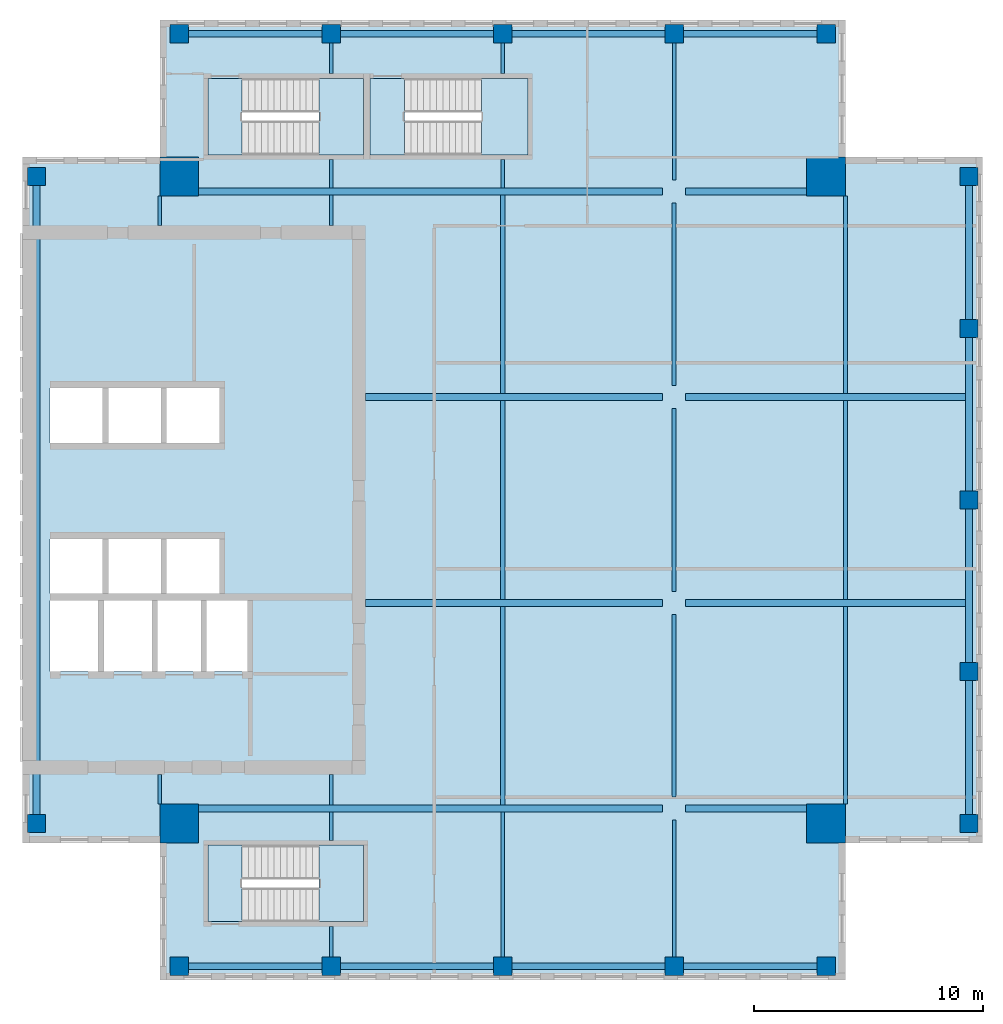
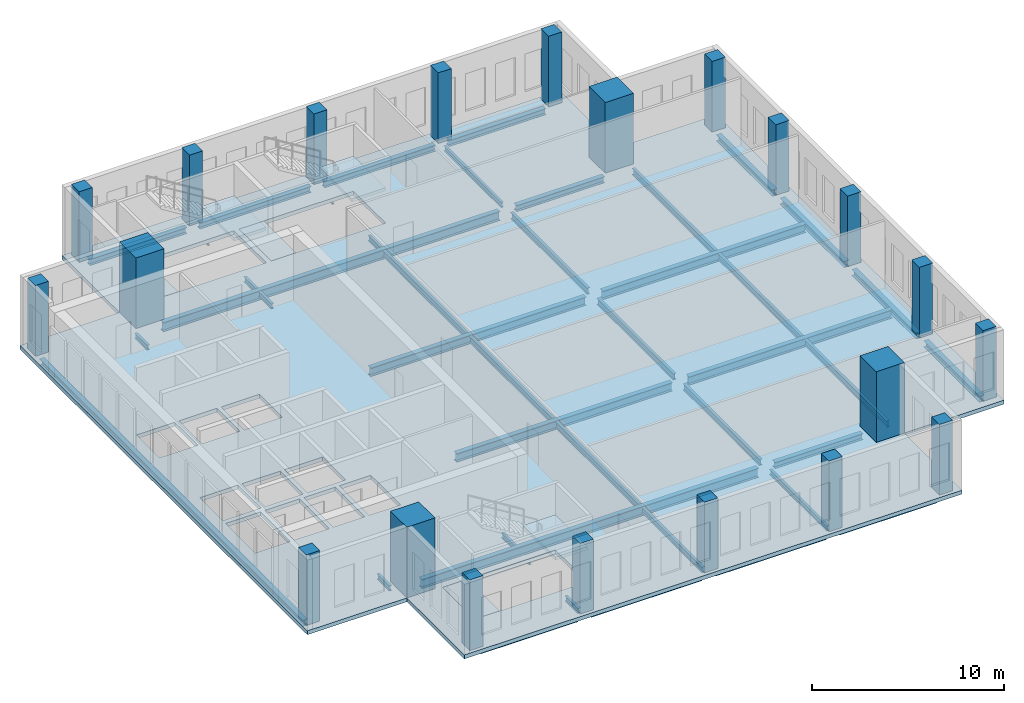
# One storey, part 1 of 6: 43 beams, 21 columns, 7 slabs, 3 elements without a shape of their own.
"""IFC4 building model written with IfcOpenShell, lengths in metres."""

import ifcopenshell
import ifcopenshell.guid

model = None  # the IFC model being written
_history = None  # IfcOwnerHistory: only IFC2X3 demands one
_inside = {}  # id of a spatial element -> (the spatial element, [elements in it])
_under = {}  # id of a project, library or spatial element -> (it, [spatial elements below it])
_declared = {}  # id of a project -> (the project, [libraries it declares])
_typed = {}  # id of a type object -> (the type object, [elements of that type])
_made_of = {}  # id of a material, layer set ... -> (it, [elements and type objects made of it])


def new_model(schema):
    """Start an empty IFC model of exactly this schema.

    Asked for "IFC4X3", IfcOpenShell would pick the latest addendum, in which some entities
    have other attributes; the version numbers below select the first issue.
    IFC2X3 requires an IfcOwnerHistory on every rooted entity: one is made here for all.
    """
    global model, _history
    if schema == "IFC4X3":
        model = ifcopenshell.file(schema_version=(4, 3, 0, 0))
    else:
        model = ifcopenshell.file(schema=schema)
    _inside.clear()
    _under.clear()
    _declared.clear()
    _typed.clear()
    _made_of.clear()
    _history = None
    if model.schema == "IFC2X3":
        org = make("IfcOrganization", Name="unknown")
        user = make(
            "IfcPersonAndOrganization",
            ThePerson=make("IfcPerson", FamilyName="unknown"),
            TheOrganization=org,
        )
        app = make(
            "IfcApplication",
            ApplicationDeveloper=org,
            Version="unknown",
            ApplicationFullName="unknown",
            ApplicationIdentifier="unknown",
        )
        _history = make(
            "IfcOwnerHistory",
            OwningUser=user,
            OwningApplication=app,
            ChangeAction="ADDED",
            CreationDate=0,
        )
    return model


def make(cls, **values):
    """One entity of the class cls with the attributes given. An attribute that is None is left unset."""
    return model.create_entity(
        cls, **{name: value for name, value in values.items() if value is not None}
    )


def rooted(cls, **values):
    """An entity with a GlobalId (a new one), such as an element, a storey or a relation."""
    return make(cls, GlobalId=ifcopenshell.guid.new(), OwnerHistory=_history, **values)


def si_unit(unit_type, name, prefix=None):
    """IfcSIUnit, for example si_unit("LENGTHUNIT", "METRE", prefix="MILLI")."""
    return make("IfcSIUnit", UnitType=unit_type, Prefix=prefix, Name=name)


def assignment(units):
    """IfcUnitAssignment: the units of a project."""
    return None if units is None else make("IfcUnitAssignment", Units=units)


def point(xyz):
    """IfcCartesianPoint."""
    return None if xyz is None else make("IfcCartesianPoint", Coordinates=xyz)


def direction(xyz):
    """IfcDirection."""
    return None if xyz is None else make("IfcDirection", DirectionRatios=xyz)


def frame(location, z_axis=None, x_axis=None):
    """IfcAxis2Placement3D, a coordinate frame: its origin and axes. An axis left out is left unset."""
    return make(
        "IfcAxis2Placement3D",
        Location=point(location),
        Axis=direction(z_axis),
        RefDirection=direction(x_axis),
    )


def frame_2d(location, x_axis=None):
    """IfcAxis2Placement2D, a coordinate frame in the plane: its origin and x axis."""
    return make(
        "IfcAxis2Placement2D", Location=point(location), RefDirection=direction(x_axis)
    )


def origin():
    """The frame at (0, 0, 0) with its axes left unset."""
    return frame((0.0, 0.0, 0.0))


def origin_2d():
    """The frame at (0, 0) in the plane with its x axis left unset."""
    return frame_2d((0.0, 0.0))


def place(relative_to, where):
    """IfcLocalPlacement: puts the frame where relative to a parent placement (None: the world)."""
    return make(
        "IfcLocalPlacement", PlacementRelTo=relative_to, RelativePlacement=where
    )


def context(
    kind, dimensions, precision=None, world=None, true_north=None, identifier=None
):
    """IfcGeometricRepresentationContext, for example the 3D "Model" context."""
    return make(
        "IfcGeometricRepresentationContext",
        ContextIdentifier=identifier,
        ContextType=kind,
        CoordinateSpaceDimension=dimensions,
        Precision=precision,
        WorldCoordinateSystem=world,
        TrueNorth=true_north,
    )


def subcontext(parent, identifier, kind, view, scale=None):
    """IfcGeometricRepresentationSubContext, for example "Body" below "Model"."""
    return make(
        "IfcGeometricRepresentationSubContext",
        ContextIdentifier=identifier,
        ContextType=kind,
        ParentContext=parent,
        TargetScale=scale,
        TargetView=view,
    )


def project(units=None, contexts=None):
    """IfcProject with its units and contexts."""
    return rooted(
        "IfcProject",
        Name="project",
        RepresentationContexts=contexts,
        UnitsInContext=assignment(units),
    )


def spatial(cls, under=None, at=None, **own):
    """A site, building, storey or space (cls), placed at a placement, below another one or the project."""
    s = rooted(cls, ObjectPlacement=at, **own)
    if under is not None:
        _under.setdefault(under.id(), (under, []))[1].append(s)
    return s


def polyline(points):
    """IfcPolyline through the points."""
    return make("IfcPolyline", Points=[point(p) for p in points])


def profile(cls, at=None, kind="AREA", **sizes):
    """A parametric profile (cls). Its sizes go by their IFC names, for example OverallWidth=200.0."""
    return make(cls, ProfileType=kind, Position=at, **sizes)


def rectangle(**sizes):
    """IfcRectangleProfileDef."""
    return profile("IfcRectangleProfileDef", **sizes)


def i_section(**sizes):
    """IfcIShapeProfileDef."""
    return profile("IfcIShapeProfileDef", **sizes)


def outline(outer, holes=None, kind="AREA"):
    """IfcArbitraryClosedProfileDef: a profile drawn as a closed curve; with holes, ...WithVoids."""
    if holes is None:
        return make("IfcArbitraryClosedProfileDef", ProfileType=kind, OuterCurve=outer)
    return make(
        "IfcArbitraryProfileDefWithVoids",
        ProfileType=kind,
        OuterCurve=outer,
        InnerCurves=holes,
    )


def extrude(swept, where, along, depth):
    """IfcExtrudedAreaSolid: the profile swept, set in the frame where, extruded along a direction by depth."""
    return make(
        "IfcExtrudedAreaSolid",
        SweptArea=swept,
        Position=where,
        ExtrudedDirection=direction(along),
        Depth=depth,
    )


def shape(context_of_items, identifier, shape_type, items):
    """IfcShapeRepresentation: the items that make up one representation, for example the "Body"."""
    return make(
        "IfcShapeRepresentation",
        ContextOfItems=context_of_items,
        RepresentationIdentifier=identifier,
        RepresentationType=shape_type,
        Items=items,
    )


def source(mapping_origin, context_of_items, identifier, shape_type, items):
    """IfcRepresentationMap: a shape defined once, which mapped items show again and again."""
    return make(
        "IfcRepresentationMap",
        MappingOrigin=mapping_origin,
        MappedRepresentation=shape(context_of_items, identifier, shape_type, items),
    )


def transform(
    local_origin,
    x_axis=None,
    y_axis=None,
    z_axis=None,
    scale=None,
    scale2=None,
    scale3=None,
    uniform=True,
):
    """IfcCartesianTransformationOperator3D, or its non-uniform kind. x_axis, y_axis, z_axis: its Axis1, 2, 3."""
    if uniform:
        return make(
            "IfcCartesianTransformationOperator3D",
            Axis1=direction(x_axis),
            Axis2=direction(y_axis),
            LocalOrigin=point(local_origin),
            Scale=scale,
            Axis3=direction(z_axis),
        )
    return make(
        "IfcCartesianTransformationOperator3DnonUniform",
        Axis1=direction(x_axis),
        Axis2=direction(y_axis),
        LocalOrigin=point(local_origin),
        Scale=scale,
        Axis3=direction(z_axis),
        Scale2=scale2,
        Scale3=scale3,
    )


def mapped(mapping_source, mapping_target):
    """IfcMappedItem: shows the shape of a source again, moved by a transform."""
    return make(
        "IfcMappedItem", MappingSource=mapping_source, MappingTarget=mapping_target
    )


def material(Name=None, Category=None):
    """IfcMaterial."""
    return make("IfcMaterial", Name=Name, Category=Category)


def layer(
    of_material, thickness, ventilated=None, Name=None, Category=None, Priority=None
):
    """IfcMaterialLayer: one layer of a wall or slab, of a material (None: an air gap)."""
    return make(
        "IfcMaterialLayer",
        Material=of_material,
        LayerThickness=thickness,
        IsVentilated=ventilated,
        Name=Name,
        Category=Category,
        Priority=Priority,
    )


def layer_set(layers, Name=None):
    """IfcMaterialLayerSet."""
    return make("IfcMaterialLayerSet", MaterialLayers=layers, LayerSetName=Name)


def material_profile(
    of_material, cross_section, Name=None, Category=None, Priority=None
):
    """IfcMaterialProfile: a cross section and its material."""
    return make(
        "IfcMaterialProfile",
        Name=Name,
        Material=of_material,
        Profile=cross_section,
        Priority=Priority,
        Category=Category,
    )


def profile_set(profiles, Name=None, composite=None):
    """IfcMaterialProfileSet."""
    return make(
        "IfcMaterialProfileSet",
        Name=Name,
        MaterialProfiles=profiles,
        CompositeProfile=composite,
    )


def made_of(thing, what):
    """Note that an element or type object is made of a material, layer set ...; save() writes the relation."""
    if what is not None:
        _made_of.setdefault(what.id(), (what, []))[1].append(thing)
    return thing


def type_object(cls, material=None, **own):
    """A type object (cls), such as IfcWallType, which elements share."""
    return made_of(rooted(cls, **own), material)


def element(
    cls,
    number,
    at=None,
    inside=None,
    cuts=None,
    type_object=None,
    material=None,
    context=None,
    identifier="Body",
    shape_type=None,
    held_by="IfcProductDefinitionShape",
    body=None,
    shapes=None,
    **own,
):
    """One element of the class cls, such as IfcWall. Its Tag is "e" and its number.

    at: its placement. inside: the storey or other place that contains it. cuts: it is an
    opening in that element (IfcRelVoidsElement). A single representation is given by context,
    identifier, shape_type and body (its items); several are given by shapes. held_by: the class
    of the entity that holds the representations. save() writes the other relations.
    """
    e = rooted(cls, Tag="e%d" % number, ObjectPlacement=at, **own)
    if body is not None:
        shapes = [shape(context, identifier, shape_type, body)]
    if shapes is not None:
        e.Representation = make(held_by, Representations=shapes)
    if inside is not None:
        _inside.setdefault(inside.id(), (inside, []))[1].append(e)
    if cuts is not None:
        rooted(
            "IfcRelVoidsElement", RelatingBuildingElement=cuts, RelatedOpeningElement=e
        )
    if type_object is not None:
        _typed.setdefault(type_object.id(), (type_object, []))[1].append(e)
    return made_of(e, material)


def aggregate(whole, parts):
    """IfcRelAggregates: a whole, such as a stair, and the parts it consists of."""
    return rooted("IfcRelAggregates", RelatingObject=whole, RelatedObjects=parts)


def save(model, path):
    """Write the relations noted so far, then the file.

    IfcRelAggregates (storeys below a building ...), IfcRelContainedInSpatialStructure (elements
    in a storey), IfcRelDefinesByType, IfcRelAssociatesMaterial and IfcRelDeclares: one each for
    every whole, place, type object, material and project.
    """
    for whole, parts in _under.values():
        aggregate(whole, parts)
    for where, things in _inside.values():
        rooted(
            "IfcRelContainedInSpatialStructure",
            RelatedElements=things,
            RelatingStructure=where,
        )
    for kind, things in _typed.values():
        rooted("IfcRelDefinesByType", RelatedObjects=things, RelatingType=kind)
    for what, things in _made_of.values():
        rooted("IfcRelAssociatesMaterial", RelatedObjects=things, RelatingMaterial=what)
    for by, libraries in _declared.values():
        rooted("IfcRelDeclares", RelatingContext=by, RelatedDefinitions=libraries)
    model.write(path)


model = new_model("IFC4")

# Units and contexts
model_context = context("Model", 3, precision=1e-05, world=origin(), true_north=direction((0.0, 1.0)))
body_context = subcontext(model_context, "Body", "Model", "MODEL_VIEW")
ifc_project = project(units=[si_unit("LENGTHUNIT", "METRE"), si_unit("AREAUNIT", "SQUARE_METRE"), si_unit("VOLUMEUNIT", "CUBIC_METRE"), si_unit("PLANEANGLEUNIT", "RADIAN"), si_unit("MASSUNIT", "GRAM", prefix="KILO")], contexts=[model_context])

# Site, building, storey
site_placement = place(None, origin())
site = spatial("IfcSite", under=ifc_project, at=site_placement, CompositionType="ELEMENT")
building_placement = place(site_placement, origin())
building = spatial("IfcBuilding", under=site, at=building_placement, Name="Khomas Fold Tower", CompositionType="ELEMENT")
storey_placement = place(building_placement, frame((0.0, 0.0, 330.199951171875)))
storey = spatial("IfcBuildingStorey", under=building, at=storey_placement, Name="C1", CompositionType="ELEMENT", Elevation=330.199951171875)

# Columns
ifc_material_1 = material(Name="Concrete C60/75", Category="concrete")
ifc_material_profile_1 = material_profile(ifc_material_1, rectangle(XDim=1.699951171875, YDim=1.699951171875, at=origin_2d()), Name="RC 1700x1700")
ifc_profile_set_1 = profile_set([ifc_material_profile_1], Name="Concrete C60/75")
column_type_1 = type_object("IfcColumnType", Name="RC 1700x1700 column", PredefinedType="COLUMN", material=ifc_profile_set_1)
shared_shape_1 = source(origin(), body_context, "Body", "SweptSolid", [
    extrude(rectangle(XDim=1.699951171875, YDim=1.699951171875, at=origin_2d()), origin(), (0.0, 0.0, 1.0), 4.5),
])
for number, where, z_axis, x_axis, name in (
    (1, (41.14990234375, 41.14990234375, 0.0), (0.0, 0.0, 1.0), (1.0, 0.0, 0.0), "CM-NE"),
    (2, (12.85009765625, 41.14990234375, 0.0), (0.0, 0.0, 1.0), (1.0, 0.0, 0.0), "CM-NW"),
    (3, (41.14990234375, 12.85009765625, 0.0), (0.0, 0.0, 1.0), (1.0, 0.0, 0.0), "CM-SE"),
    (4, (12.85009765625, 12.85009765625, 0.0), (0.0, 0.0, 1.0), (1.0, 0.0, 0.0), "CM-SW"),
):
    element("IfcColumn", number, at=place(storey_placement, frame(where, z_axis=z_axis, x_axis=x_axis)), inside=storey, type_object=column_type_1, Name=name, PredefinedType="COLUMN", context=body_context, shape_type="MappedRepresentation", body=[
        mapped(shared_shape_1, transform((0.0, 0.0, 0.0))),
    ])
ifc_material_2 = material(Name="Concrete C50/60", Category="concrete")
ifc_material_profile_2 = material_profile(ifc_material_2, rectangle(XDim=0.800048828125, YDim=0.800048828125, at=origin_2d()), Name="RC 800x800")
ifc_profile_set_2 = profile_set([ifc_material_profile_2], Name="Concrete C50/60")
column_type_2 = type_object("IfcColumnType", Name="RC 800x800 column", PredefinedType="COLUMN", material=ifc_profile_set_2)
shared_shape_2 = source(origin(), body_context, "Body", "SweptSolid", [
    extrude(rectangle(XDim=0.800048828125, YDim=0.800048828125, at=origin_2d()), origin(), (0.0, 0.0, 1.0), 4.5),
])
for number, where, z_axis, x_axis, name in (
    (5, (12.85009765625, 6.60009765625, 0.0), (0.0, 0.0, 1.0), (1.0, 0.0, 0.0), "C-7-SF5"),
    (6, (19.5, 6.60009765625, 0.0), (0.0, 0.0, 1.0), (1.0, 0.0, 0.0), "C-8-SF5"),
    (7, (27.0, 6.60009765625, 0.0), (0.0, 0.0, 1.0), (1.0, 0.0, 0.0), "C-9-SF5"),
    (8, (34.5, 6.60009765625, 0.0), (0.0, 0.0, 1.0), (1.0, 0.0, 0.0), "C-10-SF5"),
    (9, (41.14990234375, 6.60009765625, 0.0), (0.0, 0.0, 1.0), (1.0, 0.0, 0.0), "C-12-SF5"),
    (10, (47.39990234375, 12.85009765625, 0.0), (0.0, 0.0, 1.0), (1.0, 0.0, 0.0), "C-E5-G"),
    (11, (47.39990234375, 19.5, 0.0), (0.0, 0.0, 1.0), (1.0, 0.0, 0.0), "C-E5-J"),
    (12, (47.39990234375, 27.0, 0.0), (0.0, 0.0, 1.0), (1.0, 0.0, 0.0), "C-E5-L"),
    (13, (47.39990234375, 34.5, 0.0), (0.0, 0.0, 1.0), (1.0, 0.0, 0.0), "C-E5-N"),
    (14, (47.39990234375, 41.14990234375, 0.0), (0.0, 0.0, 1.0), (1.0, 0.0, 0.0), "C-E5-Q"),
    (15, (12.85009765625, 47.39990234375, 0.0), (0.0, 0.0, 1.0), (1.0, 0.0, 0.0), "C-7-NF5"),
    (16, (19.5, 47.39990234375, 0.0), (0.0, 0.0, 1.0), (1.0, 0.0, 0.0), "C-8-NF5"),
    (17, (27.0, 47.39990234375, 0.0), (0.0, 0.0, 1.0), (1.0, 0.0, 0.0), "C-9-NF5"),
    (18, (34.5, 47.39990234375, 0.0), (0.0, 0.0, 1.0), (1.0, 0.0, 0.0), "C-10-NF5"),
    (19, (41.14990234375, 47.39990234375, 0.0), (0.0, 0.0, 1.0), (1.0, 0.0, 0.0), "C-12-NF5"),
    (20, (6.60009765625, 12.85009765625, 0.0), (0.0, 0.0, 1.0), (1.0, 0.0, 0.0), "C-W5-G"),
    (21, (6.60009765625, 41.14990234375, 0.0), (0.0, 0.0, 1.0), (1.0, 0.0, 0.0), "C-W5-Q"),
):
    element("IfcColumn", number, at=place(storey_placement, frame(where, z_axis=z_axis, x_axis=x_axis)), inside=storey, type_object=column_type_2, Name=name, PredefinedType="COLUMN", context=body_context, shape_type="MappedRepresentation", body=[
        mapped(shared_shape_2, transform((0.0, 0.0, 0.0))),
    ])

# Beams
ifc_material_3 = material(Name="Steel S355", Category="steel")
ifc_material_profile_3 = material_profile(ifc_material_3, i_section(OverallWidth=0.179931640625, OverallDepth=0.39990234375, WebThickness=0.008544921875, FlangeThickness=0.013427734375, at=origin_2d()), Name="IPE 400")
ifc_profile_set_3 = profile_set([ifc_material_profile_3], Name="Steel S355")
beam_type_1 = type_object("IfcBeamType", Name="IPE 400 beam JB3", PredefinedType="BEAM", material=ifc_profile_set_3)
shared_shape_3 = source(origin(), body_context, "Body", "SweptSolid", [
    extrude(i_section(OverallWidth=0.179931640625, OverallDepth=0.39990234375, WebThickness=0.008544921875, FlangeThickness=0.013427734375, at=origin_2d()), origin(), (0.0, 0.0, 1.0), 8.7001953125),
])
for number, where, z_axis, x_axis, name in (
    (22, (27.0, 13.64990234375, -0.449951171875), (0.0, 1.0, 0.0), (-1.0, 0.0, 0.0), "JB3"),
    (23, (27.0, 22.64990234375, -0.449951171875), (0.0, 1.0, 0.0), (-1.0, 0.0, 0.0), "JB3"),
    (24, (27.0, 31.64990234375, -0.449951171875), (0.0, 1.0, 0.0), (-1.0, 0.0, 0.0), "JB3"),
    (25, (42.0, 22.64990234375, -0.449951171875), (0.0, 1.0, 0.0), (-1.0, 0.0, 0.0), "JB3"),
):
    element("IfcBeam", number, at=place(storey_placement, frame(where, z_axis=z_axis, x_axis=x_axis)), inside=storey, type_object=beam_type_1, Name=name, PredefinedType="BEAM", context=body_context, shape_type="MappedRepresentation", body=[
        mapped(shared_shape_3, transform((0.0, 0.0, 0.0))),
    ])
ifc_material_4 = material(Name="Steel S355", Category="steel")
ifc_material_profile_4 = material_profile(ifc_material_4, i_section(OverallWidth=0.159912109375, OverallDepth=0.330078125, WebThickness=0.007568359375, FlangeThickness=0.011474609375, at=origin_2d()), Name="IPE 330")
ifc_profile_set_4 = profile_set([ifc_material_profile_4], Name="Steel S355")
beam_type_2 = type_object("IfcBeamType", Name="IPE 330 beam JB1", PredefinedType="BEAM", material=ifc_profile_set_4)
shared_shape_4 = source(origin(), body_context, "Body", "SweptSolid", [
    extrude(i_section(OverallWidth=0.159912109375, OverallDepth=0.330078125, WebThickness=0.007568359375, FlangeThickness=0.011474609375, at=origin_2d()), origin(), (0.0, 0.0, 1.0), 1.25),
])
for number, where, z_axis, x_axis, name in (
    (26, (19.5, 12.10009765625, -0.4150390625), (0.0, 1.0, 0.0), (-1.0, 0.0, 0.0), "JB1"),
    (27, (19.5, 40.64990234375, -0.4150390625), (0.0, 1.0, 0.0), (-1.0, 0.0, 0.0), "JB1"),
    (28, (27.0, 40.64990234375, -0.4150390625), (0.0, 1.0, 0.0), (-1.0, 0.0, 0.0), "JB1"),
):
    element("IfcBeam", number, at=place(storey_placement, frame(where, z_axis=z_axis, x_axis=x_axis)), inside=storey, type_object=beam_type_2, Name=name, PredefinedType="BEAM", context=body_context, shape_type="MappedRepresentation", body=[
        mapped(shared_shape_4, transform((0.0, 0.0, 0.0))),
    ])
shared_shape_5 = source(origin(), body_context, "Body", "SweptSolid", [
    extrude(i_section(OverallWidth=0.159912109375, OverallDepth=0.330078125, WebThickness=0.007568359375, FlangeThickness=0.011474609375, at=origin_2d()), origin(), (0.0, 0.0, 1.0), 1.35009765625),
])
for number, where, z_axis, x_axis, name in (
    (29, (19.5, 7.0, -0.4150390625), (0.0, 1.0, 0.0), (-1.0, 0.0, 0.0), "JB1"),
    (30, (19.5, 13.64990234375, -0.4150390625), (0.0, 1.0, 0.0), (-1.0, 0.0, 0.0), "JB1"),
    (31, (19.5, 39.0, -0.4150390625), (0.0, 1.0, 0.0), (-1.0, 0.0, 0.0), "JB1"),
    (32, (19.5, 45.64990234375, -0.4150390625), (0.0, 1.0, 0.0), (-1.0, 0.0, 0.0), "JB1"),
    (33, (27.0, 45.64990234375, -0.4150390625), (0.0, 1.0, 0.0), (-1.0, 0.0, 0.0), "JB1"),
):
    element("IfcBeam", number, at=place(storey_placement, frame(where, z_axis=z_axis, x_axis=x_axis)), inside=storey, type_object=beam_type_2, Name=name, PredefinedType="BEAM", context=body_context, shape_type="MappedRepresentation", body=[
        mapped(shared_shape_5, transform((0.0, 0.0, 0.0))),
    ])
ifc_material_5 = material(Name="Steel S355", Category="steel")
ifc_material_profile_5 = material_profile(ifc_material_5, i_section(OverallWidth=0.300048828125, OverallDepth=0.39990234375, WebThickness=0.013427734375, FlangeThickness=0.02392578125, at=origin_2d()), Name="HE 400 B")
ifc_profile_set_5 = profile_set([ifc_material_profile_5], Name="Steel S355")
beam_type_3 = type_object("IfcBeamType", Name="HE 400 B spandrel SB5", PredefinedType="SPANDREL", material=ifc_profile_set_5)
shared_shape_6 = source(origin(), body_context, "Body", "SweptSolid", [
    extrude(i_section(OverallWidth=0.300048828125, OverallDepth=0.39990234375, WebThickness=0.013427734375, FlangeThickness=0.02392578125, at=origin_2d()), origin(), (0.0, 0.0, 1.0), 5.85009765625),
])
for number, where, z_axis, x_axis, name in (
    (34, (13.25, 6.60009765625, -0.449951171875), (1.0, 0.0, 0.0), (0.0, 1.0, 0.0), "SB5"),
    (35, (34.89990234375, 6.60009765625, -0.449951171875), (1.0, 0.0, 0.0), (0.0, 1.0, 0.0), "SB5"),
    (36, (47.39990234375, 13.25, -0.449951171875), (0.0, 1.0, 0.0), (-1.0, 0.0, 0.0), "SB5"),
    (37, (47.39990234375, 34.89990234375, -0.449951171875), (0.0, 1.0, 0.0), (-1.0, 0.0, 0.0), "SB5"),
    (38, (34.89990234375, 47.39990234375, -0.449951171875), (1.0, 0.0, 0.0), (0.0, 1.0, 0.0), "SB5"),
    (39, (13.25, 47.39990234375, -0.449951171875), (1.0, 0.0, 0.0), (0.0, 1.0, 0.0), "SB5"),
):
    element("IfcBeam", number, at=place(storey_placement, frame(where, z_axis=z_axis, x_axis=x_axis)), inside=storey, type_object=beam_type_3, Name=name, PredefinedType="SPANDREL", context=body_context, shape_type="MappedRepresentation", body=[
        mapped(shared_shape_6, transform((0.0, 0.0, 0.0))),
    ])
shared_shape_7 = source(origin(), body_context, "Body", "SweptSolid", [
    extrude(i_section(OverallWidth=0.300048828125, OverallDepth=0.39990234375, WebThickness=0.013427734375, FlangeThickness=0.02392578125, at=origin_2d()), origin(), (0.0, 0.0, 1.0), 6.7001953125),
])
for number, where, z_axis, x_axis, name in (
    (40, (19.89990234375, 6.60009765625, -0.449951171875), (1.0, 0.0, 0.0), (0.0, 1.0, 0.0), "SB5"),
    (41, (27.39990234375, 6.60009765625, -0.449951171875), (1.0, 0.0, 0.0), (0.0, 1.0, 0.0), "SB5"),
    (42, (47.39990234375, 19.89990234375, -0.449951171875), (0.0, 1.0, 0.0), (-1.0, 0.0, 0.0), "SB5"),
    (43, (47.39990234375, 27.39990234375, -0.449951171875), (0.0, 1.0, 0.0), (-1.0, 0.0, 0.0), "SB5"),
    (44, (27.39990234375, 47.39990234375, -0.449951171875), (1.0, 0.0, 0.0), (0.0, 1.0, 0.0), "SB5"),
    (45, (19.89990234375, 47.39990234375, -0.449951171875), (1.0, 0.0, 0.0), (0.0, 1.0, 0.0), "SB5"),
):
    element("IfcBeam", number, at=place(storey_placement, frame(where, z_axis=z_axis, x_axis=x_axis)), inside=storey, type_object=beam_type_3, Name=name, PredefinedType="SPANDREL", context=body_context, shape_type="MappedRepresentation", body=[
        mapped(shared_shape_7, transform((0.0, 0.0, 0.0))),
    ])
shared_shape_8 = source(origin(), body_context, "Body", "SweptSolid", [
    extrude(i_section(OverallWidth=0.300048828125, OverallDepth=0.39990234375, WebThickness=0.013427734375, FlangeThickness=0.02392578125, at=origin_2d()), origin(), (0.0, 0.0, 1.0), 27.5),
])
beam_1_placement = place(storey_placement, frame((6.60009765625, 13.25, -0.449951171875), z_axis=(0.0, 1.0, 0.0), x_axis=(-1.0, 0.0, 0.0)))
element("IfcBeam", 46, at=beam_1_placement, inside=storey, type_object=beam_type_3, Name="SB5", PredefinedType="SPANDREL", context=body_context, shape_type="MappedRepresentation", body=[
    mapped(shared_shape_8, transform((0.0, 0.0, 0.0))),
])
ifc_material_6 = material(Name="Steel S355", Category="steel")
ifc_material_profile_6 = material_profile(ifc_material_6, i_section(OverallWidth=0.300048828125, OverallDepth=0.60009765625, WebThickness=0.015380859375, FlangeThickness=0.030029296875, at=origin_2d()), Name="HE 600 B")
ifc_profile_set_6 = profile_set([ifc_material_profile_6], Name="Steel S355")
beam_type_4 = type_object("IfcBeamType", Name="HE 600 B beam GB5", PredefinedType="BEAM", material=ifc_profile_set_6)
shared_shape_9 = source(origin(), body_context, "Body", "SweptSolid", [
    extrude(i_section(OverallWidth=0.300048828125, OverallDepth=0.60009765625, WebThickness=0.015380859375, FlangeThickness=0.030029296875, at=origin_2d()), origin(), (0.0, 0.0, 1.0), 20.300048828125),
])
for number, where, z_axis, x_axis, name in (
    (47, (13.699951171875, 13.5, -0.550048828125), (1.0, 0.0, 0.0), (0.0, 1.0, 0.0), "GB5"),
    (48, (13.699951171875, 40.5, -0.550048828125), (1.0, 0.0, 0.0), (0.0, 1.0, 0.0), "GB5"),
):
    element("IfcBeam", number, at=place(storey_placement, frame(where, z_axis=z_axis, x_axis=x_axis)), inside=storey, type_object=beam_type_4, Name=name, PredefinedType="BEAM", context=body_context, shape_type="MappedRepresentation", body=[
        mapped(shared_shape_9, transform((0.0, 0.0, 0.0))),
    ])
ifc_material_7 = material(Name="Steel S355", Category="steel")
ifc_material_profile_7 = material_profile(ifc_material_7, i_section(OverallWidth=0.300048828125, OverallDepth=0.39990234375, WebThickness=0.013427734375, FlangeThickness=0.02392578125, at=origin_2d()), Name="HE 400 B")
ifc_profile_set_7 = profile_set([ifc_material_profile_7], Name="Steel S355")
beam_type_5 = type_object("IfcBeamType", Name="HE 400 B beam GB1", PredefinedType="BEAM", material=ifc_profile_set_7)
shared_shape_10 = source(origin(), body_context, "Body", "SweptSolid", [
    extrude(i_section(OverallWidth=0.300048828125, OverallDepth=0.39990234375, WebThickness=0.013427734375, FlangeThickness=0.02392578125, at=origin_2d()), origin(), (0.0, 0.0, 1.0), 5.300048828125),
])
for number, where, z_axis, x_axis, name in (
    (49, (35.0, 13.5, -0.449951171875), (1.0, 0.0, 0.0), (0.0, 1.0, 0.0), "GB1"),
    (50, (35.0, 40.5, -0.449951171875), (1.0, 0.0, 0.0), (0.0, 1.0, 0.0), "GB1"),
):
    element("IfcBeam", number, at=place(storey_placement, frame(where, z_axis=z_axis, x_axis=x_axis)), inside=storey, type_object=beam_type_5, Name=name, PredefinedType="BEAM", context=body_context, shape_type="MappedRepresentation", body=[
        mapped(shared_shape_10, transform((0.0, 0.0, 0.0))),
    ])
ifc_material_8 = material(Name="Steel S355", Category="steel")
ifc_material_profile_8 = material_profile(ifc_material_8, i_section(OverallWidth=0.300048828125, OverallDepth=0.550048828125, WebThickness=0.014892578125, FlangeThickness=0.029052734375, at=origin_2d()), Name="HE 550 B")
ifc_profile_set_8 = profile_set([ifc_material_profile_8], Name="Steel S355")
beam_type_6 = type_object("IfcBeamType", Name="HE 550 B beam GB4", PredefinedType="BEAM", material=ifc_profile_set_8)
shared_shape_11 = source(origin(), body_context, "Body", "SweptSolid", [
    extrude(i_section(OverallWidth=0.300048828125, OverallDepth=0.550048828125, WebThickness=0.014892578125, FlangeThickness=0.029052734375, at=origin_2d()), origin(), (0.0, 0.0, 1.0), 13.0),
])
for number, where, z_axis, x_axis, name in (
    (51, (21.0, 22.5, -0.52490234375), (1.0, 0.0, 0.0), (0.0, 1.0, 0.0), "GB4"),
    (52, (21.0, 31.5, -0.52490234375), (1.0, 0.0, 0.0), (0.0, 1.0, 0.0), "GB4"),
):
    element("IfcBeam", number, at=place(storey_placement, frame(where, z_axis=z_axis, x_axis=x_axis)), inside=storey, type_object=beam_type_6, Name=name, PredefinedType="BEAM", context=body_context, shape_type="MappedRepresentation", body=[
        mapped(shared_shape_11, transform((0.0, 0.0, 0.0))),
    ])
shared_shape_12 = source(origin(), body_context, "Body", "SweptSolid", [
    extrude(i_section(OverallWidth=0.300048828125, OverallDepth=0.550048828125, WebThickness=0.014892578125, FlangeThickness=0.029052734375, at=origin_2d()), origin(), (0.0, 0.0, 1.0), 12.25),
])
for number, where, z_axis, x_axis, name in (
    (53, (35.0, 22.5, -0.52490234375), (1.0, 0.0, 0.0), (0.0, 1.0, 0.0), "GB4"),
    (54, (35.0, 31.5, -0.52490234375), (1.0, 0.0, 0.0), (0.0, 1.0, 0.0), "GB4"),
):
    element("IfcBeam", number, at=place(storey_placement, frame(where, z_axis=z_axis, x_axis=x_axis)), inside=storey, type_object=beam_type_6, Name=name, PredefinedType="BEAM", context=body_context, shape_type="MappedRepresentation", body=[
        mapped(shared_shape_12, transform((0.0, 0.0, 0.0))),
    ])
ifc_material_9 = material(Name="Steel S355", Category="steel")
ifc_material_profile_9 = material_profile(ifc_material_9, i_section(OverallWidth=0.169921875, OverallDepth=0.360107421875, WebThickness=0.008056640625, FlangeThickness=0.0126953125, at=origin_2d()), Name="IPE 360")
ifc_profile_set_9 = profile_set([ifc_material_profile_9], Name="Steel S355")
beam_type_7 = type_object("IfcBeamType", Name="IPE 360 beam JB2", PredefinedType="BEAM", material=ifc_profile_set_9)
shared_shape_13 = source(origin(), body_context, "Body", "SweptSolid", [
    extrude(i_section(OverallWidth=0.169921875, OverallDepth=0.360107421875, WebThickness=0.008056640625, FlangeThickness=0.0126953125, at=origin_2d()), origin(), (0.0, 0.0, 1.0), 6.35009765625),
])
beam_2_placement = place(storey_placement, frame((27.0, 7.0, -0.429931640625), z_axis=(0.0, 1.0, 0.0), x_axis=(-1.0, 0.0, 0.0)))
element("IfcBeam", 55, at=beam_2_placement, inside=storey, type_object=beam_type_7, Name="JB2", PredefinedType="BEAM", context=body_context, shape_type="MappedRepresentation", body=[
    mapped(shared_shape_13, transform((0.0, 0.0, 0.0))),
])
shared_shape_14 = source(origin(), body_context, "Body", "SweptSolid", [
    extrude(i_section(OverallWidth=0.159912109375, OverallDepth=0.330078125, WebThickness=0.007568359375, FlangeThickness=0.011474609375, at=origin_2d()), origin(), (0.0, 0.0, 1.0), 6.0),
])
for number, where, z_axis, x_axis, name in (
    (56, (34.5, 7.0, -0.4150390625), (0.0, 1.0, 0.0), (-1.0, 0.0, 0.0), "JB1"),
    (57, (34.5, 41.0, -0.4150390625), (0.0, 1.0, 0.0), (-1.0, 0.0, 0.0), "JB1"),
):
    element("IfcBeam", number, at=place(storey_placement, frame(where, z_axis=z_axis, x_axis=x_axis)), inside=storey, type_object=beam_type_2, Name=name, PredefinedType="BEAM", context=body_context, shape_type="MappedRepresentation", body=[
        mapped(shared_shape_14, transform((0.0, 0.0, 0.0))),
    ])
shared_shape_15 = source(origin(), body_context, "Body", "SweptSolid", [
    extrude(i_section(OverallWidth=0.179931640625, OverallDepth=0.39990234375, WebThickness=0.008544921875, FlangeThickness=0.013427734375, at=origin_2d()), origin(), (0.0, 0.0, 1.0), 8.0),
])
for number, where, z_axis, x_axis, name in (
    (58, (34.5, 14.0, -0.449951171875), (0.0, 1.0, 0.0), (-1.0, 0.0, 0.0), "JB3"),
    (59, (34.5, 23.0, -0.449951171875), (0.0, 1.0, 0.0), (-1.0, 0.0, 0.0), "JB3"),
    (60, (34.5, 32.0, -0.449951171875), (0.0, 1.0, 0.0), (-1.0, 0.0, 0.0), "JB3"),
):
    element("IfcBeam", number, at=place(storey_placement, frame(where, z_axis=z_axis, x_axis=x_axis)), inside=storey, type_object=beam_type_1, Name=name, PredefinedType="BEAM", context=body_context, shape_type="MappedRepresentation", body=[
        mapped(shared_shape_15, transform((0.0, 0.0, 0.0))),
    ])
shared_shape_16 = source(origin(), body_context, "Body", "SweptSolid", [
    extrude(i_section(OverallWidth=0.159912109375, OverallDepth=0.330078125, WebThickness=0.007568359375, FlangeThickness=0.011474609375, at=origin_2d()), origin(), (0.0, 0.0, 1.0), 1.300048828125),
])
for number, where, z_axis, x_axis, name in (
    (61, (12.0, 13.699951171875, -0.4150390625), (0.0, 1.0, 0.0), (-1.0, 0.0, 0.0), "JB1"),
    (62, (12.0, 39.0, -0.4150390625), (0.0, 1.0, 0.0), (-1.0, 0.0, 0.0), "JB1"),
):
    element("IfcBeam", number, at=place(storey_placement, frame(where, z_axis=z_axis, x_axis=x_axis)), inside=storey, type_object=beam_type_2, Name=name, PredefinedType="BEAM", context=body_context, shape_type="MappedRepresentation", body=[
        mapped(shared_shape_16, transform((0.0, 0.0, 0.0))),
    ])
shared_shape_17 = source(origin(), body_context, "Body", "SweptSolid", [
    extrude(i_section(OverallWidth=0.179931640625, OverallDepth=0.39990234375, WebThickness=0.008544921875, FlangeThickness=0.013427734375, at=origin_2d()), origin(), (0.0, 0.0, 1.0), 8.650146484375),
])
for number, where, z_axis, x_axis, name in (
    (63, (42.0, 13.699951171875, -0.449951171875), (0.0, 1.0, 0.0), (-1.0, 0.0, 0.0), "JB3"),
    (64, (42.0, 31.64990234375, -0.449951171875), (0.0, 1.0, 0.0), (-1.0, 0.0, 0.0), "JB3"),
):
    element("IfcBeam", number, at=place(storey_placement, frame(where, z_axis=z_axis, x_axis=x_axis)), inside=storey, type_object=beam_type_1, Name=name, PredefinedType="BEAM", context=body_context, shape_type="MappedRepresentation", body=[
        mapped(shared_shape_17, transform((0.0, 0.0, 0.0))),
    ])

# Slab
ifc_material_10 = material(Name="Concrete C40/50", Category="concrete")
ifc_layer_1 = layer(ifc_material_10, 0.25)
ifc_layer_set_1 = layer_set([ifc_layer_1], Name="Concrete C40/50")
slab_type_1 = type_object("IfcSlabType", Name="RC floor slab 250", PredefinedType="FLOOR", material=ifc_layer_set_1)
shared_shape_18 = source(origin(), body_context, "Body", "SweptSolid", [
    extrude(outline(polyline([(6.0, 12.0), (12.0, 12.0), (12.0, 6.0), (42.0, 6.0), (42.0, 12.0), (48.0, 12.0), (48.0, 42.0), (42.0, 42.0), (42.0, 48.0), (12.0, 48.0), (12.0, 42.0), (6.0, 42.0), (6.0, 12.0)]), holes=[polyline([(7.199951171875, 19.5), (7.199951171875, 22.60009765625), (9.300048828125, 22.60009765625), (9.300048828125, 19.5), (7.199951171875, 19.5)]), polyline([(7.199951171875, 22.89990234375), (7.199951171875, 25.300048828125), (9.5, 25.300048828125), (9.5, 22.89990234375), (7.199951171875, 22.89990234375)]), polyline([(7.199951171875, 29.5), (7.199951171875, 31.89990234375), (9.5, 31.89990234375), (9.5, 29.5), (7.199951171875, 29.5)]), polyline([(9.550048828125, 19.5), (9.550048828125, 22.60009765625), (11.64990234375, 22.60009765625), (11.64990234375, 19.5), (9.550048828125, 19.5)]), polyline([(9.75, 22.89990234375), (9.75, 25.300048828125), (12.050048828125, 25.300048828125), (12.050048828125, 22.89990234375), (9.75, 22.89990234375)]), polyline([(9.75, 29.5), (9.75, 31.89990234375), (12.050048828125, 31.89990234375), (12.050048828125, 29.5), (9.75, 29.5)]), polyline([(11.89990234375, 19.5), (11.89990234375, 22.60009765625), (13.800048828125, 22.60009765625), (13.800048828125, 19.5), (11.89990234375, 19.5)]), polyline([(12.300048828125, 22.89990234375), (12.300048828125, 25.300048828125), (14.60009765625, 25.300048828125), (14.60009765625, 22.89990234375), (12.300048828125, 22.89990234375)]), polyline([(12.300048828125, 29.5), (12.300048828125, 31.89990234375), (14.60009765625, 31.89990234375), (14.60009765625, 29.5), (12.300048828125, 29.5)]), polyline([(14.050048828125, 19.5), (14.050048828125, 22.60009765625), (15.949951171875, 22.60009765625), (15.949951171875, 19.5), (14.050048828125, 19.5)]), polyline([(14.10009765625, 8.550048828125), (14.10009765625, 11.89990234375), (20.89990234375, 11.89990234375), (20.89990234375, 8.550048828125), (14.10009765625, 8.550048828125)]), polyline([(14.10009765625, 42.10009765625), (14.10009765625, 45.449951171875), (20.89990234375, 45.449951171875), (20.89990234375, 42.10009765625), (14.10009765625, 42.10009765625)]), polyline([(21.199951171875, 42.10009765625), (21.199951171875, 45.449951171875), (28.10009765625, 45.449951171875), (28.10009765625, 42.10009765625), (21.199951171875, 42.10009765625)])]), origin(), (0.0, 0.0, 1.0), 0.25),
])
slab_1_placement = place(storey_placement, frame((0.0, 0.0, -0.25)))
element("IfcSlab", 65, at=slab_1_placement, inside=storey, type_object=slab_type_1, Name="S-C1", PredefinedType="FLOOR", context=body_context, shape_type="MappedRepresentation", body=[
    mapped(shared_shape_18, transform((0.0, 0.0, 0.0))),
])

# Stair, slab
ifc_material_11 = material(Name="Concrete C40/50", Category="concrete")
stair_type_1 = type_object("IfcStairType", Name="Stair ST1", PredefinedType="HALF_TURN_STAIR", material=ifc_material_11)
stair_1_placement = place(storey_placement, origin())
stair_1 = element("IfcStair", 66, at=stair_1_placement, inside=storey, type_object=stair_type_1, Name="C1 ST1", PredefinedType="HALF_TURN_STAIR")
ifc_material_12 = material(Name="Concrete C40/50", Category="concrete")
ifc_layer_2 = layer(ifc_material_12, 0.199951171875)
ifc_layer_set_2 = layer_set([ifc_layer_2], Name="Concrete C40/50")
slab_type_2 = type_object("IfcSlabType", Name="Stair landing 200", PredefinedType="LANDING", material=ifc_layer_set_2)
shared_shape_19 = source(origin(), body_context, "Body", "SweptSolid", [
    extrude(outline(polyline([(18.9599609375, 42.10009765625), (20.89990234375, 42.10009765625), (20.89990234375, 45.449951171875), (18.9599609375, 45.449951171875), (18.9599609375, 42.10009765625)])), origin(), (0.0, 0.0, 1.0), 0.199951171875),
])
slab_2_placement = place(storey_placement, frame((0.0, 0.0, 2.050048828125)))
slab_2 = element("IfcSlab", 67, at=slab_2_placement, type_object=slab_type_2, Name="ST1 landing 1", PredefinedType="LANDING", context=body_context, shape_type="MappedRepresentation", body=[
    mapped(shared_shape_19, transform((0.0, 0.0, 0.0))),
])
aggregate(stair_1, [slab_2])

# Slab
ifc_material_13 = material(Name="Concrete C40/50", Category="concrete")
ifc_layer_3 = layer(ifc_material_13, 0.25)
ifc_layer_set_3 = layer_set([ifc_layer_3], Name="Concrete C40/50")
slab_type_3 = type_object("IfcSlabType", Name="Stair floor landing 250", PredefinedType="LANDING", material=ifc_layer_set_3)
shared_shape_20 = source(origin(), body_context, "Body", "SweptSolid", [
    extrude(outline(polyline([(14.10009765625, 45.449951171875), (15.60009765625, 45.449951171875), (15.60009765625, 42.10009765625), (14.10009765625, 42.10009765625), (14.10009765625, 45.449951171875)])), origin(), (0.0, 0.0, 1.0), 0.25),
])
slab_3_placement = place(storey_placement, frame((0.0, 0.0, -0.25)))
element("IfcSlab", 68, at=slab_3_placement, inside=storey, type_object=slab_type_3, Name="ST1 floor landing", PredefinedType="LANDING", context=body_context, shape_type="MappedRepresentation", body=[
    mapped(shared_shape_20, transform((0.0, 0.0, 0.0))),
])

# Stair, slab
ifc_material_14 = material(Name="Concrete C40/50", Category="concrete")
stair_type_2 = type_object("IfcStairType", Name="Stair ST2", PredefinedType="HALF_TURN_STAIR", material=ifc_material_14)
stair_2_placement = place(storey_placement, origin())
stair_2 = element("IfcStair", 69, at=stair_2_placement, inside=storey, type_object=stair_type_2, Name="C1 ST2", PredefinedType="HALF_TURN_STAIR")
shared_shape_21 = source(origin(), body_context, "Body", "SweptSolid", [
    extrude(outline(polyline([(18.9599609375, 8.550048828125), (20.89990234375, 8.550048828125), (20.89990234375, 11.89990234375), (18.9599609375, 11.89990234375), (18.9599609375, 8.550048828125)])), origin(), (0.0, 0.0, 1.0), 0.199951171875),
])
slab_4_placement = place(storey_placement, frame((0.0, 0.0, 2.050048828125)))
slab_4 = element("IfcSlab", 70, at=slab_4_placement, type_object=slab_type_2, Name="ST2 landing 1", PredefinedType="LANDING", context=body_context, shape_type="MappedRepresentation", body=[
    mapped(shared_shape_21, transform((0.0, 0.0, 0.0))),
])
aggregate(stair_2, [slab_4])

# Slab
shared_shape_22 = source(origin(), body_context, "Body", "SweptSolid", [
    extrude(outline(polyline([(14.10009765625, 11.89990234375), (15.60009765625, 11.89990234375), (15.60009765625, 8.550048828125), (14.10009765625, 8.550048828125), (14.10009765625, 11.89990234375)])), origin(), (0.0, 0.0, 1.0), 0.25),
])
slab_5_placement = place(storey_placement, frame((0.0, 0.0, -0.25)))
element("IfcSlab", 71, at=slab_5_placement, inside=storey, type_object=slab_type_3, Name="ST2 floor landing", PredefinedType="LANDING", context=body_context, shape_type="MappedRepresentation", body=[
    mapped(shared_shape_22, transform((0.0, 0.0, 0.0))),
])

# Stair, slab
ifc_material_15 = material(Name="Concrete C40/50", Category="concrete")
stair_type_3 = type_object("IfcStairType", Name="Stair ST3", PredefinedType="HALF_TURN_STAIR", material=ifc_material_15)
stair_3_placement = place(storey_placement, origin())
stair_3 = element("IfcStair", 72, at=stair_3_placement, inside=storey, type_object=stair_type_3, Name="C1 ST3", PredefinedType="HALF_TURN_STAIR")
shared_shape_23 = source(origin(), body_context, "Body", "SweptSolid", [
    extrude(outline(polyline([(26.06005859375, 42.10009765625), (28.10009765625, 42.10009765625), (28.10009765625, 45.449951171875), (26.06005859375, 45.449951171875), (26.06005859375, 42.10009765625)])), origin(), (0.0, 0.0, 1.0), 0.199951171875),
])
slab_6_placement = place(storey_placement, frame((0.0, 0.0, 2.050048828125)))
slab_6 = element("IfcSlab", 73, at=slab_6_placement, type_object=slab_type_2, Name="ST3 landing 1", PredefinedType="LANDING", context=body_context, shape_type="MappedRepresentation", body=[
    mapped(shared_shape_23, transform((0.0, 0.0, 0.0))),
])
aggregate(stair_3, [slab_6])

# Slab
shared_shape_24 = source(origin(), body_context, "Body", "SweptSolid", [
    extrude(outline(polyline([(21.199951171875, 45.449951171875), (22.699951171875, 45.449951171875), (22.699951171875, 42.10009765625), (21.199951171875, 42.10009765625), (21.199951171875, 45.449951171875)])), origin(), (0.0, 0.0, 1.0), 0.25),
])
slab_7_placement = place(storey_placement, frame((0.0, 0.0, -0.25)))
element("IfcSlab", 74, at=slab_7_placement, inside=storey, type_object=slab_type_3, Name="ST3 floor landing", PredefinedType="LANDING", context=body_context, shape_type="MappedRepresentation", body=[
    mapped(shared_shape_24, transform((0.0, 0.0, 0.0))),
])

save(model, "model.ifc")
